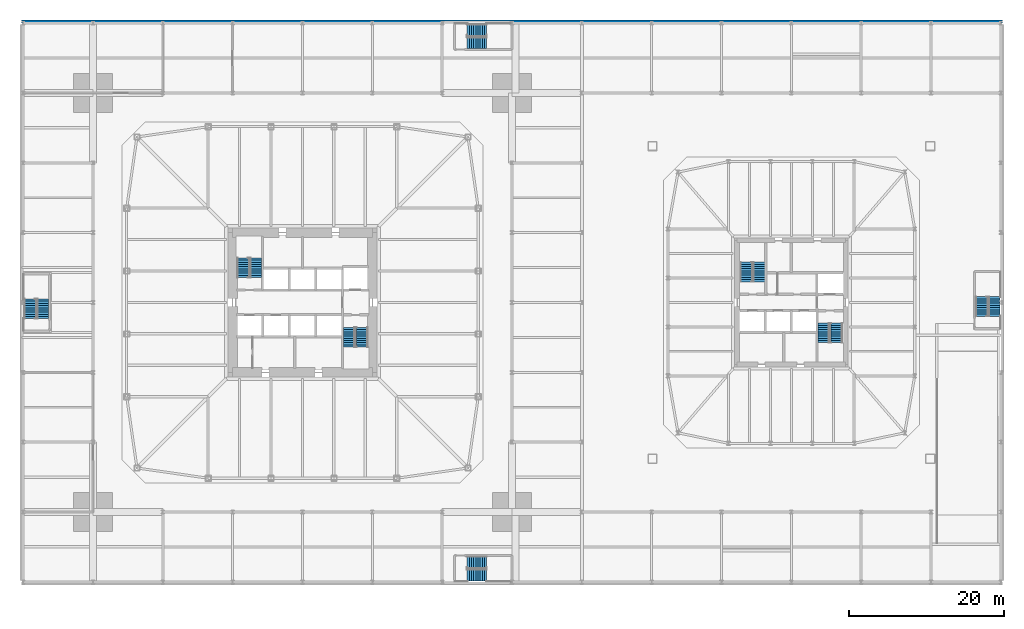
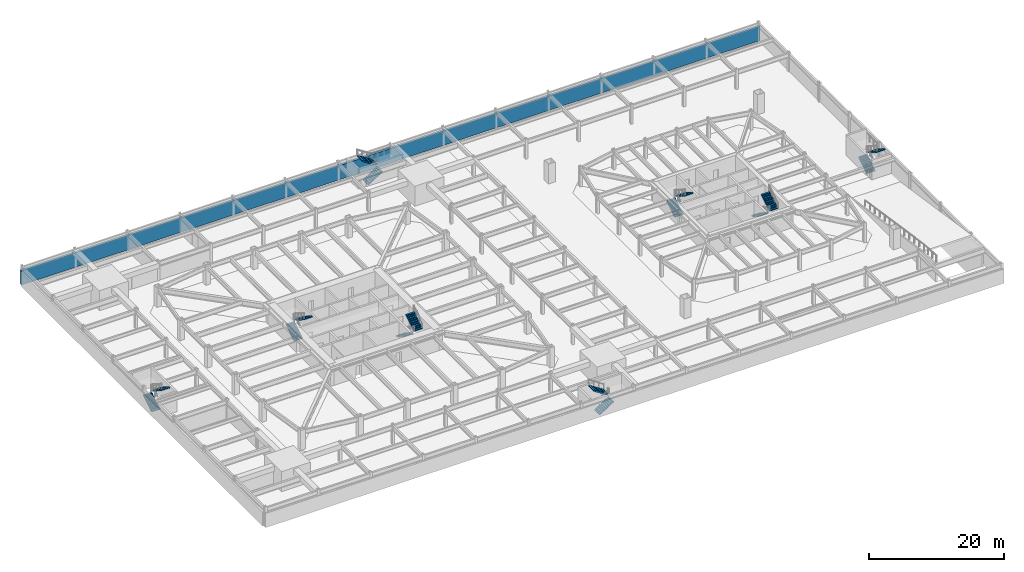
# One storey, part 15 of 17: 16 stair flights, 1 wall, 8 elements without a shape of their own.
"""IFC4 building model written with IfcOpenShell, lengths in metres."""

from ifc_helpers import new_model, si_unit, direction, frame, frame_2d, origin, place, context, subcontext, project, spatial, polyline, rectangle, outline, extrude, material, layer, layer_set, constituent, constituent_set, type_object, element, aggregate, save


model = new_model("IFC4")

# Units and contexts
model_context = context("Model", 3, precision=1e-05, world=origin(), true_north=direction((0.0, 1.0)))
body_context = subcontext(model_context, "Body", "Model", "MODEL_VIEW")
ifc_project = project(units=[si_unit("LENGTHUNIT", "METRE"), si_unit("AREAUNIT", "SQUARE_METRE"), si_unit("VOLUMEUNIT", "CUBIC_METRE"), si_unit("PLANEANGLEUNIT", "RADIAN"), si_unit("MASSUNIT", "GRAM", prefix="KILO")], contexts=[model_context])

# Site, building, storey
site_placement = place(None, origin())
site = spatial("IfcSite", under=ifc_project, at=site_placement, CompositionType="ELEMENT")
building_placement = place(site_placement, origin())
building = spatial("IfcBuilding", under=site, at=building_placement, Name="Iwan Alto Co-Living Towers", CompositionType="ELEMENT")
storey_placement = place(building_placement, frame((0.0, 0.0, -3.60009765625)))
storey = spatial("IfcBuildingStorey", under=building, at=storey_placement, Name="B1", CompositionType="ELEMENT", Elevation=-3.60009765625)

# Wall
ifc_material_1 = material(Name="Concrete f'c 70 MPa", Category="concrete")
ifc_layer = layer(ifc_material_1, 0.39990234375)
ifc_layer_set = layer_set([ifc_layer], Name="BASEMENT RETAINING WALL 400")
wall_type = type_object("IfcWallType", Name="BASEMENT RETAINING WALL 400", PredefinedType="SOLIDWALL", material=ifc_layer_set)
wall_placement = place(storey_placement, frame((90.199951171875, 36.199951171875, 0.0), z_axis=(0.0, 0.0, 1.0), x_axis=(-1.0, 0.0, 0.0)))
element("IfcWall", 1, at=wall_placement, inside=storey, type_object=wall_type, Name="Basement retaining wall N B1", PredefinedType="SOLIDWALL", context=body_context, shape_type="SweptSolid", body=[
    extrude(rectangle(XDim=126.39990234375, YDim=0.39990234375, at=frame_2d((63.199951171875, 0.0))), origin(), (0.0, 0.0, 1.0), 2.58056640625),
])

# Stair, stair flights
ifc_material_2 = material(Name="Steel ASTM A36", Category="steel")
ifc_constituent_1 = constituent(ifc_material_2, Name="Stringers", Category="LoadBearing")
ifc_material_3 = material(Name="Concrete f'c 30 MPa", Category="concrete")
ifc_constituent_2 = constituent(ifc_material_3, Name="Tread fill", Category="Finish")
ifc_constituent_set_1 = constituent_set(constituents=[ifc_constituent_1, ifc_constituent_2], Name="STAIR 3600 TWO-FLIGHT PODIUM")
stair_type_1 = type_object("IfcStairType", Name="STAIR 3600 TWO-FLIGHT PODIUM", PredefinedType="HALF_TURN_STAIR", material=ifc_constituent_set_1)
stair_1_placement = place(storey_placement, origin())
stair_1 = element("IfcStair", 2, at=stair_1_placement, inside=storey, type_object=stair_type_1, Name="Stair PS1 B1 to L00", PredefinedType="HALF_TURN_STAIR")
ifc_constituent_3 = constituent(ifc_material_2, Name="Stringers", Category="LoadBearing")
ifc_constituent_4 = constituent(ifc_material_3, Name="Tread fill", Category="Finish")
ifc_constituent_set_2 = constituent_set(constituents=[ifc_constituent_3, ifc_constituent_4], Name="STAIR FLIGHT 10 RISERS 280 GOING")
stair_flight_type = type_object("IfcStairFlightType", Name="STAIR FLIGHT 10 RISERS 280 GOING", PredefinedType="STRAIGHT", material=ifc_constituent_set_2)
stair_flight_1_placement = place(storey_placement, frame((-35.139892578125, -2.080078125, 0.0), z_axis=(0.0, 0.0, 1.0), x_axis=(0.0, 1.0, 0.0)))
stair_flight_1 = element("IfcStairFlight", 3, at=stair_flight_1_placement, type_object=stair_flight_type, Name="PS1 flight 1", NumberOfRisers=10, NumberOfTreads=9, PredefinedType="STRAIGHT", RiserHeight=0.18, TreadLength=0.28, context=body_context, shape_type="SweptSolid", body=[
    extrude(outline(polyline([(0.0, 0.0), (0.0, 0.179931640625), (0.280029296875, 0.179931640625), (0.280029296875, 0.360107421875), (0.56005859375, 0.360107421875), (0.56005859375, 0.5400390625), (0.840087890625, 0.5400390625), (0.840087890625, 0.719970703125), (1.1201171875, 0.719970703125), (1.1201171875, 0.89990234375), (1.39990234375, 0.89990234375), (1.39990234375, 1.080078125), (1.679931640625, 1.080078125), (1.679931640625, 1.260009765625), (1.9599609375, 1.260009765625), (1.9599609375, 1.43994140625), (2.239990234375, 1.43994140625), (2.239990234375, 1.6201171875), (2.52001953125, 1.6201171875), (2.52001953125, 1.800048828125), (2.52001953125, 1.44189453125), (0.277099609375, 0.0), (0.0, 0.0)])), frame((0.0, 0.739990234375, 0.0), z_axis=(0.0, -1.0, 0.0), x_axis=(1.0, 0.0, 0.0)), (0.0, 0.0, 1.0), 1.47998046875),
])
stair_flight_2_placement = place(storey_placement, frame((-33.4599609375, 0.43994140625, 1.800048828125), z_axis=(0.0, 0.0, 1.0), x_axis=(0.0, -1.0, 0.0)))
stair_flight_2 = element("IfcStairFlight", 4, at=stair_flight_2_placement, type_object=stair_flight_type, Name="PS1 flight 2", NumberOfRisers=10, NumberOfTreads=9, PredefinedType="STRAIGHT", RiserHeight=0.18, TreadLength=0.28, context=body_context, shape_type="SweptSolid", body=[
    extrude(outline(polyline([(0.0, 0.0), (0.0, 0.179931640625), (0.280029296875, 0.179931640625), (0.280029296875, 0.360107421875), (0.56005859375, 0.360107421875), (0.56005859375, 0.5400390625), (0.840087890625, 0.5400390625), (0.840087890625, 0.719970703125), (1.1201171875, 0.719970703125), (1.1201171875, 0.89990234375), (1.39990234375, 0.89990234375), (1.39990234375, 1.080078125), (1.679931640625, 1.080078125), (1.679931640625, 1.260009765625), (1.9599609375, 1.260009765625), (1.9599609375, 1.43994140625), (2.239990234375, 1.43994140625), (2.239990234375, 1.6201171875), (2.52001953125, 1.6201171875), (2.52001953125, 1.800048828125), (2.52001953125, 1.44189453125), (0.277099609375, 0.0), (0.0, 0.0)])), frame((0.0, 0.739990234375, 0.0), z_axis=(0.0, -1.0, 0.0), x_axis=(1.0, 0.0, 0.0)), (0.0, 0.0, 1.0), 1.47998046875),
])
aggregate(stair_1, [stair_flight_1, stair_flight_2])

stair_2_placement = place(storey_placement, origin())
stair_2 = element("IfcStair", 5, at=stair_2_placement, inside=storey, type_object=stair_type_1, Name="Stair PS2 B1 to L00", PredefinedType="HALF_TURN_STAIR")
stair_flight_3_placement = place(storey_placement, frame((87.4599609375, -1.780029296875, 0.0), z_axis=(0.0, 0.0, 1.0), x_axis=(0.0, 1.0, 0.0)))
stair_flight_3 = element("IfcStairFlight", 6, at=stair_flight_3_placement, type_object=stair_flight_type, Name="PS2 flight 1", NumberOfRisers=10, NumberOfTreads=9, PredefinedType="STRAIGHT", RiserHeight=0.18, TreadLength=0.28, context=body_context, shape_type="SweptSolid", body=[
    extrude(outline(polyline([(0.0, 0.0), (0.0, 0.179931640625), (0.280029296875, 0.179931640625), (0.280029296875, 0.360107421875), (0.56005859375, 0.360107421875), (0.56005859375, 0.5400390625), (0.840087890625, 0.5400390625), (0.840087890625, 0.719970703125), (1.1201171875, 0.719970703125), (1.1201171875, 0.89990234375), (1.39990234375, 0.89990234375), (1.39990234375, 1.080078125), (1.679931640625, 1.080078125), (1.679931640625, 1.260009765625), (1.9599609375, 1.260009765625), (1.9599609375, 1.43994140625), (2.239990234375, 1.43994140625), (2.239990234375, 1.6201171875), (2.52001953125, 1.6201171875), (2.52001953125, 1.800048828125), (2.52001953125, 1.44189453125), (0.277099609375, 0.0), (0.0, 0.0)])), frame((0.0, 0.739990234375, 0.0), z_axis=(0.0, -1.0, 0.0), x_axis=(1.0, 0.0, 0.0)), (0.0, 0.0, 1.0), 1.47998046875),
])
stair_flight_4_placement = place(storey_placement, frame((89.139892578125, 0.739990234375, 1.800048828125), z_axis=(0.0, 0.0, 1.0), x_axis=(0.0, -1.0, 0.0)))
stair_flight_4 = element("IfcStairFlight", 7, at=stair_flight_4_placement, type_object=stair_flight_type, Name="PS2 flight 2", NumberOfRisers=10, NumberOfTreads=9, PredefinedType="STRAIGHT", RiserHeight=0.18, TreadLength=0.28, context=body_context, shape_type="SweptSolid", body=[
    extrude(outline(polyline([(0.0, 0.0), (0.0, 0.179931640625), (0.280029296875, 0.179931640625), (0.280029296875, 0.360107421875), (0.56005859375, 0.360107421875), (0.56005859375, 0.5400390625), (0.840087890625, 0.5400390625), (0.840087890625, 0.719970703125), (1.1201171875, 0.719970703125), (1.1201171875, 0.89990234375), (1.39990234375, 0.89990234375), (1.39990234375, 1.080078125), (1.679931640625, 1.080078125), (1.679931640625, 1.260009765625), (1.9599609375, 1.260009765625), (1.9599609375, 1.43994140625), (2.239990234375, 1.43994140625), (2.239990234375, 1.6201171875), (2.52001953125, 1.6201171875), (2.52001953125, 1.800048828125), (2.52001953125, 1.44189453125), (0.277099609375, 0.0), (0.0, 0.0)])), frame((0.0, 0.739990234375, 0.0), z_axis=(0.0, -1.0, 0.0), x_axis=(1.0, 0.0, 0.0)), (0.0, 0.0, 1.0), 1.47998046875),
])
aggregate(stair_2, [stair_flight_3, stair_flight_4])

stair_3_placement = place(storey_placement, origin())
stair_3 = element("IfcStair", 8, at=stair_3_placement, inside=storey, type_object=stair_type_1, Name="Stair PS3 B1 to L00", PredefinedType="HALF_TURN_STAIR")
stair_flight_5_placement = place(storey_placement, frame((21.219970703125, 33.4599609375, 0.0), z_axis=(0.0, 0.0, 1.0), x_axis=(1.0, 0.0, 0.0)))
stair_flight_5 = element("IfcStairFlight", 9, at=stair_flight_5_placement, type_object=stair_flight_type, Name="PS3 flight 1", NumberOfRisers=10, NumberOfTreads=9, PredefinedType="STRAIGHT", RiserHeight=0.18, TreadLength=0.28, context=body_context, shape_type="SweptSolid", body=[
    extrude(outline(polyline([(0.0, 0.0), (0.0, 0.179931640625), (0.280029296875, 0.179931640625), (0.280029296875, 0.360107421875), (0.56005859375, 0.360107421875), (0.56005859375, 0.5400390625), (0.840087890625, 0.5400390625), (0.840087890625, 0.719970703125), (1.1201171875, 0.719970703125), (1.1201171875, 0.89990234375), (1.39990234375, 0.89990234375), (1.39990234375, 1.080078125), (1.679931640625, 1.080078125), (1.679931640625, 1.260009765625), (1.9599609375, 1.260009765625), (1.9599609375, 1.43994140625), (2.239990234375, 1.43994140625), (2.239990234375, 1.6201171875), (2.52001953125, 1.6201171875), (2.52001953125, 1.800048828125), (2.52001953125, 1.44189453125), (0.277099609375, 0.0), (0.0, 0.0)])), frame((0.0, 0.739990234375, 0.0), z_axis=(0.0, -1.0, 0.0), x_axis=(1.0, 0.0, 0.0)), (0.0, 0.0, 1.0), 1.47998046875),
])
stair_flight_6_placement = place(storey_placement, frame((23.739990234375, 35.139892578125, 1.800048828125), z_axis=(0.0, 0.0, 1.0), x_axis=(-1.0, 0.0, 0.0)))
stair_flight_6 = element("IfcStairFlight", 10, at=stair_flight_6_placement, type_object=stair_flight_type, Name="PS3 flight 2", NumberOfRisers=10, NumberOfTreads=9, PredefinedType="STRAIGHT", RiserHeight=0.18, TreadLength=0.28, context=body_context, shape_type="SweptSolid", body=[
    extrude(outline(polyline([(0.0, 0.0), (0.0, 0.179931640625), (0.280029296875, 0.179931640625), (0.280029296875, 0.360107421875), (0.56005859375, 0.360107421875), (0.56005859375, 0.5400390625), (0.840087890625, 0.5400390625), (0.840087890625, 0.719970703125), (1.1201171875, 0.719970703125), (1.1201171875, 0.89990234375), (1.39990234375, 0.89990234375), (1.39990234375, 1.080078125), (1.679931640625, 1.080078125), (1.679931640625, 1.260009765625), (1.9599609375, 1.260009765625), (1.9599609375, 1.43994140625), (2.239990234375, 1.43994140625), (2.239990234375, 1.6201171875), (2.52001953125, 1.6201171875), (2.52001953125, 1.800048828125), (2.52001953125, 1.44189453125), (0.277099609375, 0.0), (0.0, 0.0)])), frame((0.0, 0.739990234375, 0.0), z_axis=(0.0, -1.0, 0.0), x_axis=(1.0, 0.0, 0.0)), (0.0, 0.0, 1.0), 1.47998046875),
])
aggregate(stair_3, [stair_flight_5, stair_flight_6])

stair_4_placement = place(storey_placement, origin())
stair_4 = element("IfcStair", 11, at=stair_4_placement, inside=storey, type_object=stair_type_1, Name="Stair PS4 B1 to L00", PredefinedType="HALF_TURN_STAIR")
stair_flight_7_placement = place(storey_placement, frame((21.219970703125, -35.139892578125, 0.0), z_axis=(0.0, 0.0, 1.0), x_axis=(1.0, 0.0, 0.0)))
stair_flight_7 = element("IfcStairFlight", 12, at=stair_flight_7_placement, type_object=stair_flight_type, Name="PS4 flight 1", NumberOfRisers=10, NumberOfTreads=9, PredefinedType="STRAIGHT", RiserHeight=0.18, TreadLength=0.28, context=body_context, shape_type="SweptSolid", body=[
    extrude(outline(polyline([(0.0, 0.0), (0.0, 0.179931640625), (0.280029296875, 0.179931640625), (0.280029296875, 0.360107421875), (0.56005859375, 0.360107421875), (0.56005859375, 0.5400390625), (0.840087890625, 0.5400390625), (0.840087890625, 0.719970703125), (1.1201171875, 0.719970703125), (1.1201171875, 0.89990234375), (1.39990234375, 0.89990234375), (1.39990234375, 1.080078125), (1.679931640625, 1.080078125), (1.679931640625, 1.260009765625), (1.9599609375, 1.260009765625), (1.9599609375, 1.43994140625), (2.239990234375, 1.43994140625), (2.239990234375, 1.6201171875), (2.52001953125, 1.6201171875), (2.52001953125, 1.800048828125), (2.52001953125, 1.44189453125), (0.277099609375, 0.0), (0.0, 0.0)])), frame((0.0, 0.739990234375, 0.0), z_axis=(0.0, -1.0, 0.0), x_axis=(1.0, 0.0, 0.0)), (0.0, 0.0, 1.0), 1.47998046875),
])
stair_flight_8_placement = place(storey_placement, frame((23.739990234375, -33.4599609375, 1.800048828125), z_axis=(0.0, 0.0, 1.0), x_axis=(-1.0, 0.0, 0.0)))
stair_flight_8 = element("IfcStairFlight", 13, at=stair_flight_8_placement, type_object=stair_flight_type, Name="PS4 flight 2", NumberOfRisers=10, NumberOfTreads=9, PredefinedType="STRAIGHT", RiserHeight=0.18, TreadLength=0.28, context=body_context, shape_type="SweptSolid", body=[
    extrude(outline(polyline([(0.0, 0.0), (0.0, 0.179931640625), (0.280029296875, 0.179931640625), (0.280029296875, 0.360107421875), (0.56005859375, 0.360107421875), (0.56005859375, 0.5400390625), (0.840087890625, 0.5400390625), (0.840087890625, 0.719970703125), (1.1201171875, 0.719970703125), (1.1201171875, 0.89990234375), (1.39990234375, 0.89990234375), (1.39990234375, 1.080078125), (1.679931640625, 1.080078125), (1.679931640625, 1.260009765625), (1.9599609375, 1.260009765625), (1.9599609375, 1.43994140625), (2.239990234375, 1.43994140625), (2.239990234375, 1.6201171875), (2.52001953125, 1.6201171875), (2.52001953125, 1.800048828125), (2.52001953125, 1.44189453125), (0.277099609375, 0.0), (0.0, 0.0)])), frame((0.0, 0.739990234375, 0.0), z_axis=(0.0, -1.0, 0.0), x_axis=(1.0, 0.0, 0.0)), (0.0, 0.0, 1.0), 1.47998046875),
])
aggregate(stair_4, [stair_flight_7, stair_flight_8])

ifc_constituent_5 = constituent(ifc_material_2, Name="Stringers", Category="LoadBearing")
ifc_constituent_6 = constituent(ifc_material_3, Name="Tread fill", Category="Finish")
ifc_constituent_set_3 = constituent_set(constituents=[ifc_constituent_5, ifc_constituent_6], Name="STAIR 3600 TWO-FLIGHT T1 CORE")
stair_type_2 = type_object("IfcStairType", Name="STAIR 3600 TWO-FLIGHT T1 CORE", PredefinedType="HALF_TURN_STAIR", material=ifc_constituent_set_3)
stair_5_placement = place(storey_placement, origin())
stair_5 = element("IfcStair", 14, at=stair_5_placement, inside=storey, type_object=stair_type_2, Name="Stair T1-S1 B1 to L00", PredefinedType="HALF_TURN_STAIR")
stair_flight_9_placement = place(storey_placement, frame((-7.68994140625, 3.219970703125, 0.0), z_axis=(0.0, 0.0, 1.0), x_axis=(0.0, 1.0, 0.0)))
stair_flight_9 = element("IfcStairFlight", 15, at=stair_flight_9_placement, type_object=stair_flight_type, Name="T1-S1 flight 1", NumberOfRisers=10, NumberOfTreads=9, PredefinedType="STRAIGHT", RiserHeight=0.18, TreadLength=0.28, context=body_context, shape_type="SweptSolid", body=[
    extrude(outline(polyline([(0.0, 0.0), (0.0, 0.179931640625), (0.280029296875, 0.179931640625), (0.280029296875, 0.360107421875), (0.56005859375, 0.360107421875), (0.56005859375, 0.5400390625), (0.840087890625, 0.5400390625), (0.840087890625, 0.719970703125), (1.1201171875, 0.719970703125), (1.1201171875, 0.89990234375), (1.39990234375, 0.89990234375), (1.39990234375, 1.080078125), (1.679931640625, 1.080078125), (1.679931640625, 1.260009765625), (1.9599609375, 1.260009765625), (1.9599609375, 1.43994140625), (2.239990234375, 1.43994140625), (2.239990234375, 1.6201171875), (2.52001953125, 1.6201171875), (2.52001953125, 1.800048828125), (2.52001953125, 1.44189453125), (0.277099609375, 0.0), (0.0, 0.0)])), frame((0.0, 0.739990234375, 0.0), z_axis=(0.0, -1.0, 0.0), x_axis=(1.0, 0.0, 0.0)), (0.0, 0.0, 1.0), 1.47998046875),
])
stair_flight_10_placement = place(storey_placement, frame((-6.010009765625, 5.739990234375, 1.800048828125), z_axis=(0.0, 0.0, 1.0), x_axis=(0.0, -1.0, 0.0)))
stair_flight_10 = element("IfcStairFlight", 16, at=stair_flight_10_placement, type_object=stair_flight_type, Name="T1-S1 flight 2", NumberOfRisers=10, NumberOfTreads=9, PredefinedType="STRAIGHT", RiserHeight=0.18, TreadLength=0.28, context=body_context, shape_type="SweptSolid", body=[
    extrude(outline(polyline([(0.0, 0.0), (0.0, 0.179931640625), (0.280029296875, 0.179931640625), (0.280029296875, 0.360107421875), (0.56005859375, 0.360107421875), (0.56005859375, 0.5400390625), (0.840087890625, 0.5400390625), (0.840087890625, 0.719970703125), (1.1201171875, 0.719970703125), (1.1201171875, 0.89990234375), (1.39990234375, 0.89990234375), (1.39990234375, 1.080078125), (1.679931640625, 1.080078125), (1.679931640625, 1.260009765625), (1.9599609375, 1.260009765625), (1.9599609375, 1.43994140625), (2.239990234375, 1.43994140625), (2.239990234375, 1.6201171875), (2.52001953125, 1.6201171875), (2.52001953125, 1.800048828125), (2.52001953125, 1.44189453125), (0.277099609375, 0.0), (0.0, 0.0)])), frame((0.0, 0.739990234375, 0.0), z_axis=(0.0, -1.0, 0.0), x_axis=(1.0, 0.0, 0.0)), (0.0, 0.0, 1.0), 1.47998046875),
])
aggregate(stair_5, [stair_flight_9, stair_flight_10])

stair_6_placement = place(storey_placement, origin())
stair_6 = element("IfcStair", 17, at=stair_6_placement, inside=storey, type_object=stair_type_2, Name="Stair T1-S2 B1 to L00", PredefinedType="HALF_TURN_STAIR")
stair_flight_11_placement = place(storey_placement, frame((6.010009765625, -3.219970703125, 0.0), z_axis=(0.0, 0.0, 1.0), x_axis=(0.0, -1.0, 0.0)))
stair_flight_11 = element("IfcStairFlight", 18, at=stair_flight_11_placement, type_object=stair_flight_type, Name="T1-S2 flight 1", NumberOfRisers=10, NumberOfTreads=9, PredefinedType="STRAIGHT", RiserHeight=0.18, TreadLength=0.28, context=body_context, shape_type="SweptSolid", body=[
    extrude(outline(polyline([(0.0, 0.0), (0.0, 0.179931640625), (0.280029296875, 0.179931640625), (0.280029296875, 0.360107421875), (0.56005859375, 0.360107421875), (0.56005859375, 0.5400390625), (0.840087890625, 0.5400390625), (0.840087890625, 0.719970703125), (1.1201171875, 0.719970703125), (1.1201171875, 0.89990234375), (1.39990234375, 0.89990234375), (1.39990234375, 1.080078125), (1.679931640625, 1.080078125), (1.679931640625, 1.260009765625), (1.9599609375, 1.260009765625), (1.9599609375, 1.43994140625), (2.239990234375, 1.43994140625), (2.239990234375, 1.6201171875), (2.52001953125, 1.6201171875), (2.52001953125, 1.800048828125), (2.52001953125, 1.44189453125), (0.277099609375, 0.0), (0.0, 0.0)])), frame((0.0, 0.739990234375, 0.0), z_axis=(0.0, -1.0, 0.0), x_axis=(1.0, 0.0, 0.0)), (0.0, 0.0, 1.0), 1.47998046875),
])
stair_flight_12_placement = place(storey_placement, frame((7.68994140625, -5.739990234375, 1.800048828125), z_axis=(0.0, 0.0, 1.0), x_axis=(0.0, 1.0, 0.0)))
stair_flight_12 = element("IfcStairFlight", 19, at=stair_flight_12_placement, type_object=stair_flight_type, Name="T1-S2 flight 2", NumberOfRisers=10, NumberOfTreads=9, PredefinedType="STRAIGHT", RiserHeight=0.18, TreadLength=0.28, context=body_context, shape_type="SweptSolid", body=[
    extrude(outline(polyline([(0.0, 0.0), (0.0, 0.179931640625), (0.280029296875, 0.179931640625), (0.280029296875, 0.360107421875), (0.56005859375, 0.360107421875), (0.56005859375, 0.5400390625), (0.840087890625, 0.5400390625), (0.840087890625, 0.719970703125), (1.1201171875, 0.719970703125), (1.1201171875, 0.89990234375), (1.39990234375, 0.89990234375), (1.39990234375, 1.080078125), (1.679931640625, 1.080078125), (1.679931640625, 1.260009765625), (1.9599609375, 1.260009765625), (1.9599609375, 1.43994140625), (2.239990234375, 1.43994140625), (2.239990234375, 1.6201171875), (2.52001953125, 1.6201171875), (2.52001953125, 1.800048828125), (2.52001953125, 1.44189453125), (0.277099609375, 0.0), (0.0, 0.0)])), frame((0.0, 0.739990234375, 0.0), z_axis=(0.0, -1.0, 0.0), x_axis=(1.0, 0.0, 0.0)), (0.0, 0.0, 1.0), 1.47998046875),
])
aggregate(stair_6, [stair_flight_11, stair_flight_12])

ifc_constituent_7 = constituent(ifc_material_2, Name="Stringers", Category="LoadBearing")
ifc_constituent_8 = constituent(ifc_material_3, Name="Tread fill", Category="Finish")
ifc_constituent_set_4 = constituent_set(constituents=[ifc_constituent_7, ifc_constituent_8], Name="STAIR 3600 TWO-FLIGHT T2 CORE")
stair_type_3 = type_object("IfcStairType", Name="STAIR 3600 TWO-FLIGHT T2 CORE", PredefinedType="HALF_TURN_STAIR", material=ifc_constituent_set_4)
stair_7_placement = place(storey_placement, origin())
stair_7 = element("IfcStair", 20, at=stair_7_placement, inside=storey, type_object=stair_type_3, Name="Stair T2-S1 B1 to L00", PredefinedType="HALF_TURN_STAIR")
stair_flight_13_placement = place(storey_placement, frame((57.159912109375, 2.669921875, 0.0), z_axis=(0.0, 0.0, 1.0), x_axis=(0.0, 1.0, 0.0)))
stair_flight_13 = element("IfcStairFlight", 21, at=stair_flight_13_placement, type_object=stair_flight_type, Name="T2-S1 flight 1", NumberOfRisers=10, NumberOfTreads=9, PredefinedType="STRAIGHT", RiserHeight=0.18, TreadLength=0.28, context=body_context, shape_type="SweptSolid", body=[
    extrude(outline(polyline([(0.0, 0.0), (0.0, 0.179931640625), (0.280029296875, 0.179931640625), (0.280029296875, 0.360107421875), (0.56005859375, 0.360107421875), (0.56005859375, 0.5400390625), (0.840087890625, 0.5400390625), (0.840087890625, 0.719970703125), (1.1201171875, 0.719970703125), (1.1201171875, 0.89990234375), (1.39990234375, 0.89990234375), (1.39990234375, 1.080078125), (1.679931640625, 1.080078125), (1.679931640625, 1.260009765625), (1.9599609375, 1.260009765625), (1.9599609375, 1.43994140625), (2.239990234375, 1.43994140625), (2.239990234375, 1.6201171875), (2.52001953125, 1.6201171875), (2.52001953125, 1.800048828125), (2.52001953125, 1.44189453125), (0.277099609375, 0.0), (0.0, 0.0)])), frame((0.0, 0.739990234375, 0.0), z_axis=(0.0, -1.0, 0.0), x_axis=(1.0, 0.0, 0.0)), (0.0, 0.0, 1.0), 1.47998046875),
])
stair_flight_14_placement = place(storey_placement, frame((58.840087890625, 5.18994140625, 1.800048828125), z_axis=(0.0, 0.0, 1.0), x_axis=(0.0, -1.0, 0.0)))
stair_flight_14 = element("IfcStairFlight", 22, at=stair_flight_14_placement, type_object=stair_flight_type, Name="T2-S1 flight 2", NumberOfRisers=10, NumberOfTreads=9, PredefinedType="STRAIGHT", RiserHeight=0.18, TreadLength=0.28, context=body_context, shape_type="SweptSolid", body=[
    extrude(outline(polyline([(0.0, 0.0), (0.0, 0.179931640625), (0.280029296875, 0.179931640625), (0.280029296875, 0.360107421875), (0.56005859375, 0.360107421875), (0.56005859375, 0.5400390625), (0.840087890625, 0.5400390625), (0.840087890625, 0.719970703125), (1.1201171875, 0.719970703125), (1.1201171875, 0.89990234375), (1.39990234375, 0.89990234375), (1.39990234375, 1.080078125), (1.679931640625, 1.080078125), (1.679931640625, 1.260009765625), (1.9599609375, 1.260009765625), (1.9599609375, 1.43994140625), (2.239990234375, 1.43994140625), (2.239990234375, 1.6201171875), (2.52001953125, 1.6201171875), (2.52001953125, 1.800048828125), (2.52001953125, 1.44189453125), (0.277099609375, 0.0), (0.0, 0.0)])), frame((0.0, 0.739990234375, 0.0), z_axis=(0.0, -1.0, 0.0), x_axis=(1.0, 0.0, 0.0)), (0.0, 0.0, 1.0), 1.47998046875),
])
aggregate(stair_7, [stair_flight_13, stair_flight_14])

stair_8_placement = place(storey_placement, origin())
stair_8 = element("IfcStair", 23, at=stair_8_placement, inside=storey, type_object=stair_type_3, Name="Stair T2-S2 B1 to L00", PredefinedType="HALF_TURN_STAIR")
stair_flight_15_placement = place(storey_placement, frame((67.159912109375, -2.669921875, 0.0), z_axis=(0.0, 0.0, 1.0), x_axis=(0.0, -1.0, 0.0)))
stair_flight_15 = element("IfcStairFlight", 24, at=stair_flight_15_placement, type_object=stair_flight_type, Name="T2-S2 flight 1", NumberOfRisers=10, NumberOfTreads=9, PredefinedType="STRAIGHT", RiserHeight=0.18, TreadLength=0.28, context=body_context, shape_type="SweptSolid", body=[
    extrude(outline(polyline([(0.0, 0.0), (0.0, 0.179931640625), (0.280029296875, 0.179931640625), (0.280029296875, 0.360107421875), (0.56005859375, 0.360107421875), (0.56005859375, 0.5400390625), (0.840087890625, 0.5400390625), (0.840087890625, 0.719970703125), (1.1201171875, 0.719970703125), (1.1201171875, 0.89990234375), (1.39990234375, 0.89990234375), (1.39990234375, 1.080078125), (1.679931640625, 1.080078125), (1.679931640625, 1.260009765625), (1.9599609375, 1.260009765625), (1.9599609375, 1.43994140625), (2.239990234375, 1.43994140625), (2.239990234375, 1.6201171875), (2.52001953125, 1.6201171875), (2.52001953125, 1.800048828125), (2.52001953125, 1.44189453125), (0.277099609375, 0.0), (0.0, 0.0)])), frame((0.0, 0.739990234375, 0.0), z_axis=(0.0, -1.0, 0.0), x_axis=(1.0, 0.0, 0.0)), (0.0, 0.0, 1.0), 1.47998046875),
])
stair_flight_16_placement = place(storey_placement, frame((68.840087890625, -5.18994140625, 1.800048828125), z_axis=(0.0, 0.0, 1.0), x_axis=(0.0, 1.0, 0.0)))
stair_flight_16 = element("IfcStairFlight", 25, at=stair_flight_16_placement, type_object=stair_flight_type, Name="T2-S2 flight 2", NumberOfRisers=10, NumberOfTreads=9, PredefinedType="STRAIGHT", RiserHeight=0.18, TreadLength=0.28, context=body_context, shape_type="SweptSolid", body=[
    extrude(outline(polyline([(0.0, 0.0), (0.0, 0.179931640625), (0.280029296875, 0.179931640625), (0.280029296875, 0.360107421875), (0.56005859375, 0.360107421875), (0.56005859375, 0.5400390625), (0.840087890625, 0.5400390625), (0.840087890625, 0.719970703125), (1.1201171875, 0.719970703125), (1.1201171875, 0.89990234375), (1.39990234375, 0.89990234375), (1.39990234375, 1.080078125), (1.679931640625, 1.080078125), (1.679931640625, 1.260009765625), (1.9599609375, 1.260009765625), (1.9599609375, 1.43994140625), (2.239990234375, 1.43994140625), (2.239990234375, 1.6201171875), (2.52001953125, 1.6201171875), (2.52001953125, 1.800048828125), (2.52001953125, 1.44189453125), (0.277099609375, 0.0), (0.0, 0.0)])), frame((0.0, 0.739990234375, 0.0), z_axis=(0.0, -1.0, 0.0), x_axis=(1.0, 0.0, 0.0)), (0.0, 0.0, 1.0), 1.47998046875),
])
aggregate(stair_8, [stair_flight_15, stair_flight_16])

save(model, "model.ifc")
